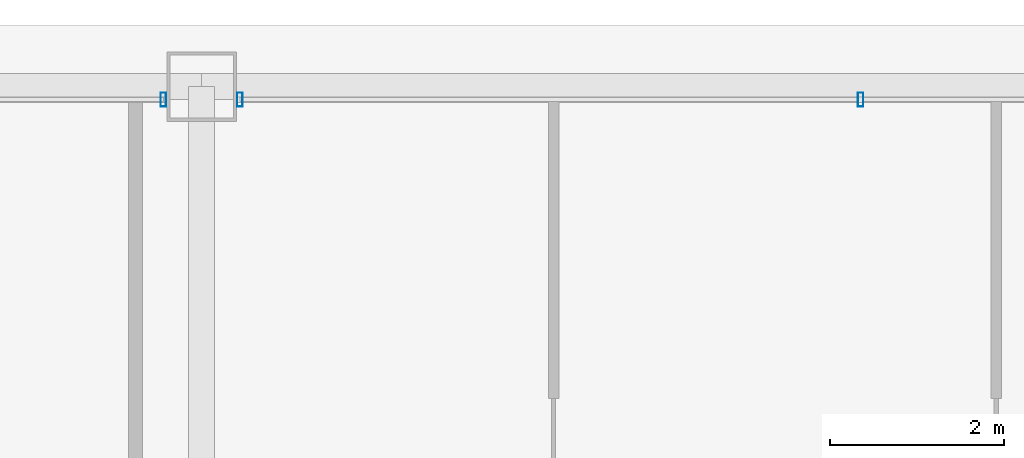
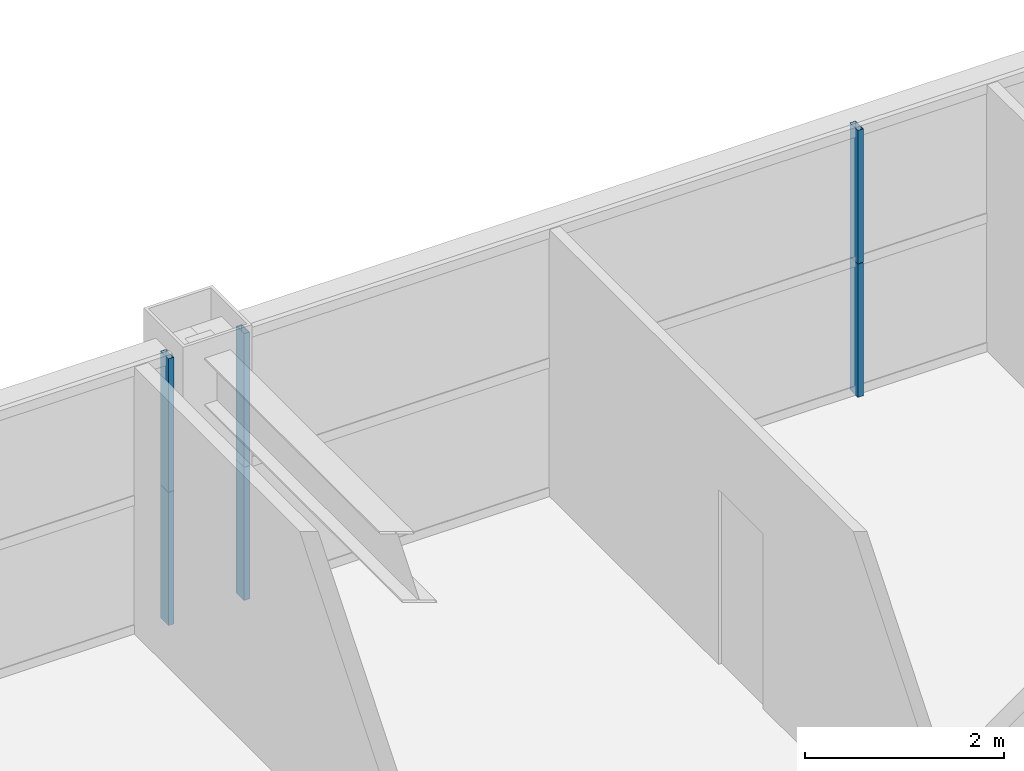
# One storey, part 36 of 45: 6 members, 2 elements without a shape of their own.
"""IFC4 building model written with IfcOpenShell, lengths in metres."""

from ifc_helpers import new_model, si_unit, direction, frame, origin, origin_2d, place, context, subcontext, project, spatial, hollow_rectangle, extrude, source, transform, mapped, material, layer, layer_set, material_profile, profile_set, type_object, element, aggregate, save


model = new_model("IFC4")

# Units and contexts
model_context = context("Model", 3, precision=1e-05, world=origin(), true_north=direction((0.0, 1.0)))
body_context = subcontext(model_context, "Body", "Model", "MODEL_VIEW")
ifc_project = project(units=[si_unit("LENGTHUNIT", "METRE"), si_unit("AREAUNIT", "SQUARE_METRE"), si_unit("VOLUMEUNIT", "CUBIC_METRE"), si_unit("PLANEANGLEUNIT", "RADIAN"), si_unit("MASSUNIT", "GRAM", prefix="KILO"), si_unit("THERMODYNAMICTEMPERATUREUNIT", "KELVIN"), si_unit("POWERUNIT", "WATT")], contexts=[model_context])

# Site, building, storey
site_placement = place(None, origin())
site = spatial("IfcSite", under=ifc_project, at=site_placement, CompositionType="ELEMENT")
building_placement = place(site_placement, origin())
building = spatial("IfcBuilding", under=site, at=building_placement, Name="Yuzanri Waterfront Tower", CompositionType="ELEMENT")
storey_placement = place(building_placement, frame((0.0, 0.0, 212.5)))
storey = spatial("IfcBuildingStorey", under=building, at=storey_placement, Name="L56", CompositionType="ELEMENT", Elevation=212.5)

# Curtain wall, members
ifc_material_1 = material(Name="Anodized Architectural Bronze", Category="metal")
ifc_layer = layer(ifc_material_1, 0.159912109375)
ifc_layer_set = layer_set([ifc_layer], Name="Anodized Architectural Bronze")
curtain_wall_type = type_object("IfcCurtainWallType", Name="Anodized Bronze Mid-Rise Residential Acoustic Unitized Curtain Wall 7200", PredefinedType="NOTDEFINED", material=ifc_layer_set)
curtain_wall_1_placement = place(storey_placement, origin())
curtain_wall_1 = element("IfcCurtainWall", 1, at=curtain_wall_1_placement, inside=storey, type_object=curtain_wall_type, Name="L56 Curtain Wall CW-L56-NL", PredefinedType="NOTDEFINED")
ifc_material_2 = material(Name="Anodized Architectural Bronze", Category="metal")
ifc_material_profile = material_profile(ifc_material_2, hollow_rectangle(XDim=0.06494140625, YDim=0.159912109375, WallThickness=0.00341796875, at=origin_2d()), Name="CWM 65x160")
ifc_profile_set = profile_set([ifc_material_profile], Name="Anodized Architectural Bronze")
member_type = type_object("IfcMemberType", Name="Anodized Bronze Upper-Zone Curtain-Wall Mullion 65x160", PredefinedType="MULLION", material=ifc_profile_set)
shared_shape = source(origin(), body_context, "Body", "SweptSolid", [
    extrude(hollow_rectangle(XDim=0.06494140625, YDim=0.159912109375, WallThickness=0.00341796875, at=origin_2d()), origin(), (0.0, 0.0, 1.0), 1.637939453125),
])
member_1_placement = place(storey_placement, frame((36.56005859375, 47.75, 0.0), z_axis=(0.0, 0.0, 1.0), x_axis=(1.0, 0.0, 0.0)))
member_1 = element("IfcMember", 2, at=member_1_placement, type_object=member_type, Name="CW-L56-NL Lower Mullion 02", PredefinedType="MULLION", context=body_context, shape_type="MappedRepresentation", body=[
    mapped(shared_shape, transform((0.0, 0.0, 0.0), scale=1.0)),
])
member_2_placement = place(storey_placement, frame((36.56005859375, 47.75, 1.64208984375), z_axis=(0.0, 0.0, 1.0), x_axis=(1.0, 0.0, 0.0)))
member_2 = element("IfcMember", 3, at=member_2_placement, type_object=member_type, Name="CW-L56-NL Upper Mullion 02", PredefinedType="MULLION", context=body_context, shape_type="MappedRepresentation", body=[
    mapped(shared_shape, transform((0.0, 0.0, 0.0), scale=1.0)),
])
aggregate(curtain_wall_1, [member_1, member_2])

curtain_wall_2_placement = place(storey_placement, origin())
curtain_wall_2 = element("IfcCurtainWall", 4, at=curtain_wall_2_placement, inside=storey, type_object=curtain_wall_type, Name="L56 Curtain Wall CW-L56-NR", PredefinedType="NOTDEFINED")
member_3_placement = place(storey_placement, frame((37.43994140625, 47.75, 0.0), z_axis=(0.0, 0.0, 1.0), x_axis=(1.0, 0.0, 0.0)))
member_3 = element("IfcMember", 5, at=member_3_placement, type_object=member_type, Name="CW-L56-NR Lower Mullion 00", PredefinedType="MULLION", context=body_context, shape_type="MappedRepresentation", body=[
    mapped(shared_shape, transform((0.0, 0.0, 0.0), scale=1.0)),
])
member_4_placement = place(storey_placement, frame((37.43994140625, 47.75, 1.64208984375), z_axis=(0.0, 0.0, 1.0), x_axis=(1.0, 0.0, 0.0)))
member_4 = element("IfcMember", 6, at=member_4_placement, type_object=member_type, Name="CW-L56-NR Upper Mullion 00", PredefinedType="MULLION", context=body_context, shape_type="MappedRepresentation", body=[
    mapped(shared_shape, transform((0.0, 0.0, 0.0), scale=1.0)),
])
member_5_placement = place(storey_placement, frame((44.574951171875, 47.75, 0.0), z_axis=(0.0, 0.0, 1.0), x_axis=(1.0, 0.0, 0.0)))
member_5 = element("IfcMember", 7, at=member_5_placement, type_object=member_type, Name="CW-L56-NR Lower Mullion 01", PredefinedType="MULLION", context=body_context, shape_type="MappedRepresentation", body=[
    mapped(shared_shape, transform((0.0, 0.0, 0.0), scale=1.0)),
])
member_6_placement = place(storey_placement, frame((44.574951171875, 47.75, 1.64208984375), z_axis=(0.0, 0.0, 1.0), x_axis=(1.0, 0.0, 0.0)))
member_6 = element("IfcMember", 8, at=member_6_placement, type_object=member_type, Name="CW-L56-NR Upper Mullion 01", PredefinedType="MULLION", context=body_context, shape_type="MappedRepresentation", body=[
    mapped(shared_shape, transform((0.0, 0.0, 0.0), scale=1.0)),
])
aggregate(curtain_wall_2, [member_3, member_4, member_5, member_6])

save(model, "model.ifc")
